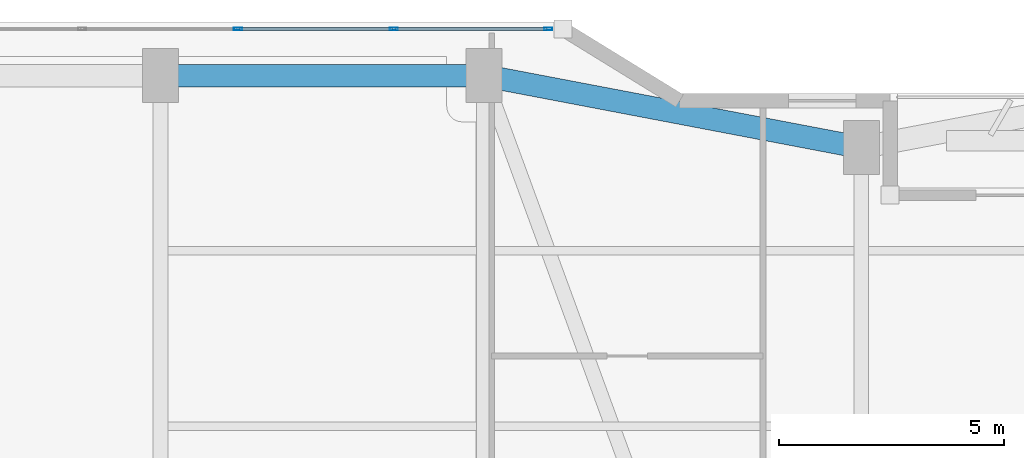
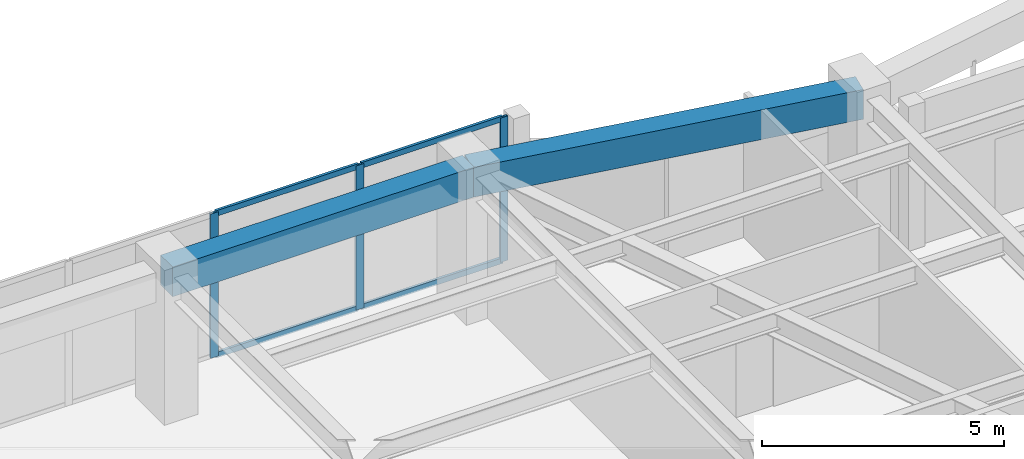
# One storey, part 14 of 24: 7 members, 2 beams, 1 element without a shape of its own.
"""IFC4 building model written with IfcOpenShell, lengths in metres."""

from ifc_helpers import new_model, si_unit, direction, frame, origin, origin_2d, place, context, subcontext, project, spatial, rectangle, hollow_rectangle, extrude, material, layer, layer_set, material_profile, profile_set, type_object, element, aggregate, save


model = new_model("IFC4")

# Units and contexts
model_context = context("Model", 3, precision=1e-05, world=origin(), true_north=direction((0.0, 1.0)))
body_context = subcontext(model_context, "Body", "Model", "MODEL_VIEW")
ifc_project = project(units=[si_unit("LENGTHUNIT", "METRE"), si_unit("AREAUNIT", "SQUARE_METRE"), si_unit("VOLUMEUNIT", "CUBIC_METRE"), si_unit("PLANEANGLEUNIT", "RADIAN"), si_unit("MASSUNIT", "GRAM", prefix="KILO")], contexts=[model_context])

# Site, building, storey
site_placement = place(None, origin())
site = spatial("IfcSite", under=ifc_project, at=site_placement, CompositionType="ELEMENT")
building_placement = place(site_placement, origin())
building = spatial("IfcBuilding", under=site, at=building_placement, Name="Kiyonajd Concourse Tower", CompositionType="ELEMENT")
storey_placement = place(building_placement, frame((0.0, 0.0, 105.300048828125)))
storey = spatial("IfcBuildingStorey", under=building, at=storey_placement, Name="L27", CompositionType="ELEMENT", Elevation=105.300048828125)

# Beams
ifc_material_1 = material(Name="Precast concrete C50/60", Category="concrete")
ifc_material_profile_1 = material_profile(ifc_material_1, rectangle(XDim=0.5, YDim=0.75, at=origin_2d()), Name="RCBM-500x750")
ifc_profile_set_1 = profile_set([ifc_material_profile_1], Name="Precast concrete C50/60")
beam_type = type_object("IfcBeamType", Name="BM-SPAN-RC", PredefinedType="SPANDREL", material=ifc_profile_set_1)
beam_1_placement = place(storey_placement, frame((48.0, 59.60009765625, 3.264892578125), z_axis=(-0.982341315253, 0.187097675953, 0.0), x_axis=(-0.187097675953, -0.982341315253, 0.0)))
element("IfcBeam", 1, at=beam_1_placement, inside=storey, type_object=beam_type, Name="L27 Perimeter Bundled Tube Spandrel", PredefinedType="SPANDREL", context=body_context, shape_type="SweptSolid", body=[
    extrude(rectangle(XDim=0.5, YDim=0.75, at=origin_2d()), origin(), (0.0, 0.0, 1.0), 8.55078125),
])
beam_2_placement = place(storey_placement, frame((39.60009765625, 61.199951171875, 3.264892578125), z_axis=(-1.0, 0.0, 0.0), x_axis=(0.0, -1.0, 0.0)))
element("IfcBeam", 2, at=beam_2_placement, inside=storey, type_object=beam_type, Name="L27 Perimeter Bundled Tube Spandrel", PredefinedType="SPANDREL", context=body_context, shape_type="SweptSolid", body=[
    extrude(rectangle(XDim=0.5, YDim=0.75, at=origin_2d()), origin(), (0.0, 0.0, 1.0), 7.2001953125),
])

# Curtain wall, members
ifc_material_2 = material(Name="Thermally Broken Anodised Aluminium", Category="aluminium")
ifc_layer = layer(ifc_material_2, 0.179931640625)
ifc_layer_set = layer_set([ifc_layer], Name="Thermally Broken Anodised Aluminium")
curtain_wall_type = type_object("IfcCurtainWallType", Name="CW-SYS-03", PredefinedType="NOTDEFINED", material=ifc_layer_set)
curtain_wall_placement = place(storey_placement, origin())
curtain_wall = element("IfcCurtainWall", 3, at=curtain_wall_placement, inside=storey, type_object=curtain_wall_type, Name="L27 Unitised Curtain Wall CW3", PredefinedType="NOTDEFINED")
ifc_material_profile_2 = material_profile(ifc_material_2, hollow_rectangle(XDim=0.06494140625, YDim=0.179931640625, WallThickness=0.00390625, at=origin_2d()), Name="MULL-65x180")
ifc_profile_set_2 = profile_set([ifc_material_profile_2], Name="Thermally Broken Anodised Aluminium")
member_type_1 = type_object("IfcMemberType", Name="MB-CW-MULL1", PredefinedType="MULLION", material=ifc_profile_set_2)
member_1_placement = place(storey_placement, frame((34.123291015625, 62.239990234375, 0.0), z_axis=(0.0, 0.0, 1.0), x_axis=(0.0, 1.0, 0.0)))
member_1 = element("IfcMember", 4, at=member_1_placement, type_object=member_type_1, Name="CW3 mullion 4", PredefinedType="MULLION", context=body_context, shape_type="SweptSolid", body=[
    extrude(hollow_rectangle(XDim=0.06494140625, YDim=0.179931640625, WallThickness=0.00390625, at=origin_2d()), origin(), (0.0, 0.0, 1.0), 3.639892578125),
])
member_2_placement = place(storey_placement, frame((37.593994140625, 62.239990234375, 0.0), z_axis=(0.0, 0.0, 1.0), x_axis=(0.0, 1.0, 0.0)))
member_2 = element("IfcMember", 5, at=member_2_placement, type_object=member_type_1, Name="CW3 mullion 5", PredefinedType="MULLION", context=body_context, shape_type="SweptSolid", body=[
    extrude(hollow_rectangle(XDim=0.06494140625, YDim=0.179931640625, WallThickness=0.00390625, at=origin_2d()), origin(), (0.0, 0.0, 1.0), 3.639892578125),
])
member_3_placement = place(storey_placement, frame((41.0322265625, 62.239990234375, 0.0), z_axis=(0.0, 0.0, 1.0), x_axis=(0.0, 1.0, 0.0)))
member_3 = element("IfcMember", 6, at=member_3_placement, type_object=member_type_1, Name="CW3 mullion 6", PredefinedType="MULLION", context=body_context, shape_type="SweptSolid", body=[
    extrude(hollow_rectangle(XDim=0.06494140625, YDim=0.179931640625, WallThickness=0.00390625, at=origin_2d()), origin(), (0.0, 0.0, 1.0), 3.639892578125),
])
ifc_material_profile_3 = material_profile(ifc_material_2, hollow_rectangle(XDim=0.06494140625, YDim=0.139892578125, WallThickness=0.00390625, at=origin_2d()), Name="TRAN-65x140")
ifc_profile_set_3 = profile_set([ifc_material_profile_3], Name="Thermally Broken Anodised Aluminium")
member_type_2 = type_object("IfcMemberType", Name="MB-CW-TRAN1", PredefinedType="USERDEFINED", material=ifc_profile_set_3)
member_4_placement = place(storey_placement, frame((34.15576171875, 62.239990234375, 0.032470703125), z_axis=(1.0, 0.0, 0.0), x_axis=(0.0, 1.0, 0.0)))
member_4 = element("IfcMember", 7, at=member_4_placement, type_object=member_type_2, Name="CW3 transom 4.1", ObjectType="TRANSOM", PredefinedType="USERDEFINED", context=body_context, shape_type="SweptSolid", body=[
    extrude(hollow_rectangle(XDim=0.06494140625, YDim=0.139892578125, WallThickness=0.00390625, at=origin_2d()), origin(), (0.0, 0.0, 1.0), 3.40576171875),
])
member_5_placement = place(storey_placement, frame((34.15576171875, 62.239990234375, 3.607421875), z_axis=(1.0, 0.0, 0.0), x_axis=(0.0, 1.0, 0.0)))
member_5 = element("IfcMember", 8, at=member_5_placement, type_object=member_type_2, Name="CW3 transom 4.2", ObjectType="TRANSOM", PredefinedType="USERDEFINED", context=body_context, shape_type="SweptSolid", body=[
    extrude(hollow_rectangle(XDim=0.06494140625, YDim=0.139892578125, WallThickness=0.00390625, at=origin_2d()), origin(), (0.0, 0.0, 1.0), 3.40576171875),
])
member_6_placement = place(storey_placement, frame((37.62646484375, 62.239990234375, 0.032470703125), z_axis=(1.0, 0.0, 0.0), x_axis=(0.0, 1.0, 0.0)))
member_6 = element("IfcMember", 9, at=member_6_placement, type_object=member_type_2, Name="CW3 transom 5.1", ObjectType="TRANSOM", PredefinedType="USERDEFINED", context=body_context, shape_type="SweptSolid", body=[
    extrude(hollow_rectangle(XDim=0.06494140625, YDim=0.139892578125, WallThickness=0.00390625, at=origin_2d()), origin(), (0.0, 0.0, 1.0), 3.373291015625),
])
member_7_placement = place(storey_placement, frame((37.62646484375, 62.239990234375, 3.607421875), z_axis=(1.0, 0.0, 0.0), x_axis=(0.0, 1.0, 0.0)))
member_7 = element("IfcMember", 10, at=member_7_placement, type_object=member_type_2, Name="CW3 transom 5.2", ObjectType="TRANSOM", PredefinedType="USERDEFINED", context=body_context, shape_type="SweptSolid", body=[
    extrude(hollow_rectangle(XDim=0.06494140625, YDim=0.139892578125, WallThickness=0.00390625, at=origin_2d()), origin(), (0.0, 0.0, 1.0), 3.373291015625),
])
aggregate(curtain_wall, [member_1, member_2, member_3, member_4, member_5, member_6, member_7])

save(model, "model.ifc")
